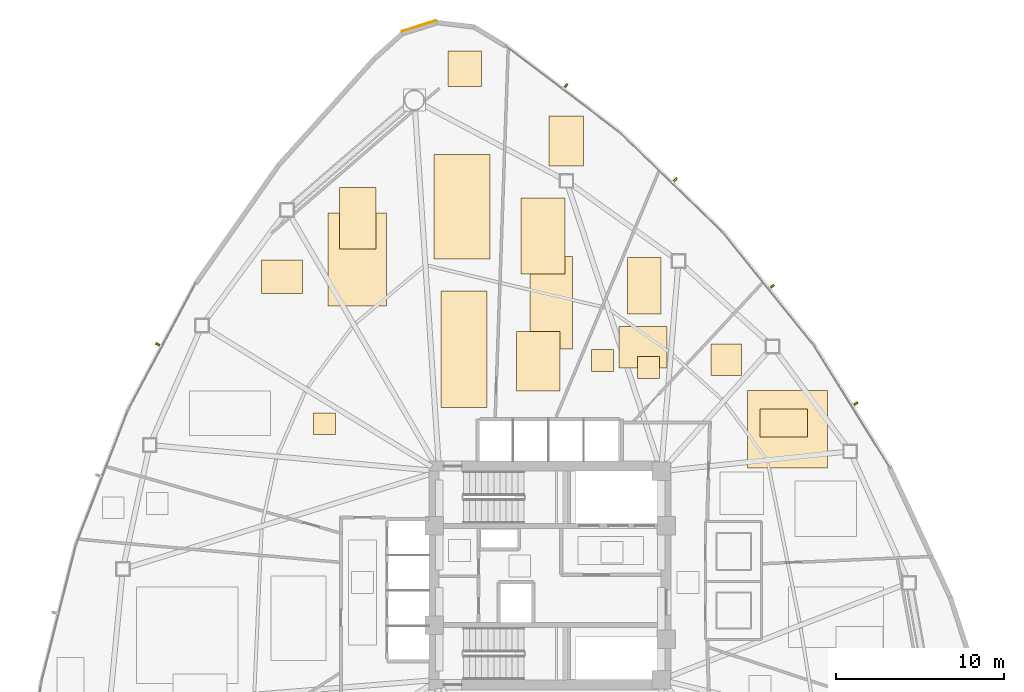
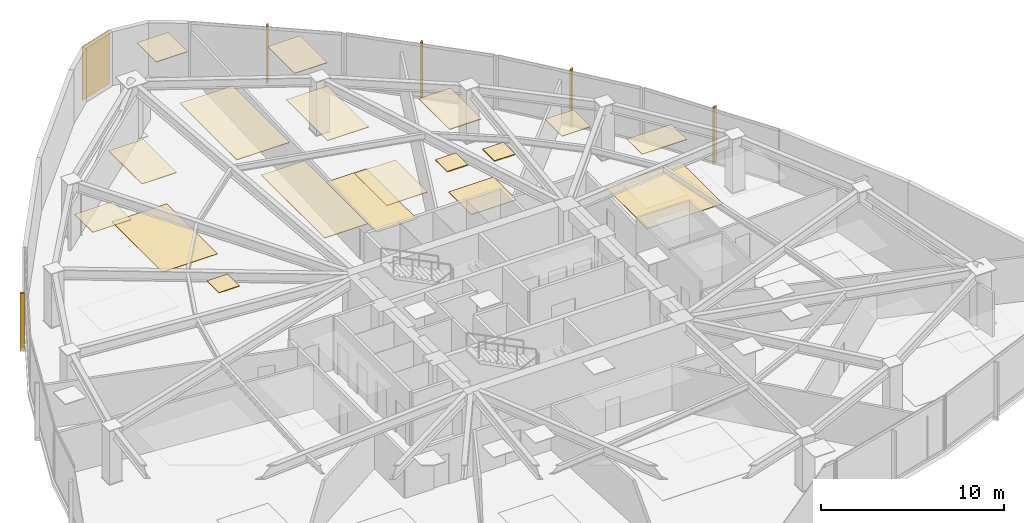
# One storey, part 18 of 18: 19 coverings, 5 shading devices.
"""IFC4 building model written with IfcOpenShell, lengths in metres."""

from ifc_helpers import new_model, si_unit, direction, frame, origin, origin_2d, place, context, subcontext, project, spatial, polyline, rectangle, outline, extrude, source, transform, mapped, material, layer, layer_set, type_object, type_shapes, element, save


model = new_model("IFC4")

# Units and contexts
model_context = context("Model", 3, precision=1e-05, world=origin(), true_north=direction((0.0, 1.0)))
body_context = subcontext(model_context, "Body", "Model", "MODEL_VIEW")
ifc_project = project(units=[si_unit("LENGTHUNIT", "METRE"), si_unit("AREAUNIT", "SQUARE_METRE"), si_unit("VOLUMEUNIT", "CUBIC_METRE"), si_unit("PLANEANGLEUNIT", "RADIAN"), si_unit("MASSUNIT", "GRAM", prefix="KILO")], contexts=[model_context])

# Site, building, storey
site_placement = place(None, origin())
site = spatial("IfcSite", under=ifc_project, at=site_placement, CompositionType="ELEMENT")
building_placement = place(site_placement, origin())
building = spatial("IfcBuilding", under=site, at=building_placement, Name="Tavelor Broadcast Tower", CompositionType="ELEMENT")
storey_placement = place(building_placement, frame((0.0, 0.0, 47.10009765625)))
storey = spatial("IfcBuildingStorey", under=building, at=storey_placement, Name="L10", CompositionType="ELEMENT", Elevation=47.10009765625)

# Coverings
ifc_material_1 = material(Name="Copper-Bronze Anodized Aluminium", Category="aluminium")
ifc_layer_1 = layer(ifc_material_1, 0.050048828125)
ifc_layer_set_1 = layer_set([ifc_layer_1], Name="Copper-Bronze Anodized Aluminium")
covering_type_1 = type_object("IfcCoveringType", Name="Champagne-Bronze Corner Pier Metal Cladding 50 mm", PredefinedType="CLADDING", material=ifc_layer_set_1)
covering_1_placement = place(storey_placement, frame((42.205078125, 77.685302734375, 0.019775390625), z_axis=(0.0, 0.0, 1.0), x_axis=(-0.953454172319, -0.301537959944, 0.0)))
element("IfcCovering", 1, at=covering_1_placement, inside=storey, type_object=covering_type_1, Name="L10 Champagne-Bronze Corner Cladding 03", PredefinedType="CLADDING", context=body_context, shape_type="SweptSolid", body=[
    extrude(rectangle(XDim=2.15087890625, YDim=0.050048828125, at=origin_2d()), origin(), (0.0, 0.0, 1.0), 3.56005859375),
])
ifc_material_2 = material(Name="Acoustic Nylon Carpet Tile")
ifc_layer_2 = layer(ifc_material_2, 0.02001953125)
ifc_layer_set_2 = layer_set([ifc_layer_2], Name="Acoustic Nylon Carpet Tile")
covering_type_2 = type_object("IfcCoveringType", Name="Heavy-Duty Acoustic Broadcast Carpet Tile 20 mm", PredefinedType="FLOORING", material=ifc_layer_set_2)
covering_2_placement = place(storey_placement, origin())
element("IfcCovering", 2, at=covering_2_placement, inside=storey, type_object=covering_type_2, Name="L10 Broadcast Floor Finish 0129", PredefinedType="FLOORING", context=body_context, shape_type="SweptSolid", body=[
    extrude(outline(polyline([(36.796875, 61.031982421875), (40.260009765625, 61.031982421875), (40.260009765625, 66.54541015625), (36.796875, 66.54541015625), (36.796875, 61.031982421875)])), origin(), (0.0, 0.0, 1.0), 0.02001953125),
])
covering_3_placement = place(storey_placement, origin())
element("IfcCovering", 3, at=covering_3_placement, inside=storey, type_object=covering_type_2, Name="L10 Broadcast Floor Finish 0130", PredefinedType="FLOORING", context=body_context, shape_type="SweptSolid", body=[
    extrude(outline(polyline([(48.805908203125, 58.47509765625), (51.336669921875, 58.47509765625), (51.336669921875, 63.9833984375), (48.805908203125, 63.9833984375), (48.805908203125, 58.47509765625)])), origin(), (0.0, 0.0, 1.0), 0.02001953125),
])
covering_4_placement = place(storey_placement, origin())
element("IfcCovering", 4, at=covering_4_placement, inside=storey, type_object=covering_type_2, Name="L10 Broadcast Floor Finish 0132", PredefinedType="FLOORING", context=body_context, shape_type="SweptSolid", body=[
    extrude(outline(polyline([(61.74853515625, 51.390380859375), (66.505126953125, 51.390380859375), (66.505126953125, 55.987060546875), (61.74853515625, 55.987060546875), (61.74853515625, 51.390380859375)])), origin(), (0.0, 0.0, 1.0), 0.02001953125),
])
ifc_material_3 = material(Name="Acoustic Hardwood Studio Flooring", Category="wood")
ifc_layer_3 = layer(ifc_material_3, 0.034912109375)
ifc_layer_set_3 = layer_set([ifc_layer_3], Name="Acoustic Hardwood Studio Flooring")
covering_type_3 = type_object("IfcCoveringType", Name="Isolated Studio Acoustic Elastomeric Floor Finish 35 mm", PredefinedType="FLOORING", material=ifc_layer_set_3)
covering_5_placement = place(storey_placement, origin())
element("IfcCovering", 5, at=covering_5_placement, inside=storey, type_object=covering_type_3, Name="L10 Broadcast Floor Finish 0131", PredefinedType="FLOORING", context=body_context, shape_type="SweptSolid", body=[
    extrude(outline(polyline([(54.106201171875, 57.32958984375), (56.9453125, 57.32958984375), (56.9453125, 59.8173828125), (54.106201171875, 59.8173828125), (54.106201171875, 57.32958984375)])), origin(), (0.0, 0.0, 1.0), 0.034912109375),
])
ifc_material_4 = material(Name="Acoustic Perforated Timber Baffle", Category="wood")
ifc_layer_4 = layer(ifc_material_4, 0.054931640625)
ifc_layer_set_4 = layer_set([ifc_layer_4], Name="Acoustic Perforated Timber Baffle")
covering_type_4 = type_object("IfcCoveringType", Name="Micro-Perforated Acoustic Baffle Studio Ceiling 55 mm", PredefinedType="CEILING", material=ifc_layer_set_4)
covering_6_placement = place(storey_placement, frame((0.0, 0.0, 3.544921875)))
element("IfcCovering", 6, at=covering_6_placement, inside=storey, type_object=covering_type_4, Name="L10 Suspended Acoustic Ceiling 0374", PredefinedType="CEILING", context=body_context, shape_type="SweptSolid", body=[
    extrude(outline(polyline([(52.469482421875, 57.12646484375), (53.76953125, 57.12646484375), (53.76953125, 58.426513671875), (52.469482421875, 58.426513671875), (52.469482421875, 57.12646484375)])), origin(), (0.0, 0.0, 1.0), 0.054931640625),
])
covering_7_placement = place(storey_placement, frame((0.0, 0.0, 3.544921875)))
element("IfcCovering", 7, at=covering_7_placement, inside=storey, type_object=covering_type_4, Name="L10 Suspended Acoustic Ceiling 0375", PredefinedType="CEILING", context=body_context, shape_type="SweptSolid", body=[
    extrude(outline(polyline([(54.5849609375, 60.54248046875), (56.587646484375, 60.54248046875), (56.587646484375, 63.90869140625), (54.5849609375, 63.90869140625), (54.5849609375, 60.54248046875)])), origin(), (0.0, 0.0, 1.0), 0.054931640625),
])
covering_8_placement = place(storey_placement, frame((0.0, 0.0, 3.544921875)))
element("IfcCovering", 8, at=covering_8_placement, inside=storey, type_object=covering_type_4, Name="L10 Suspended Acoustic Ceiling 0376", PredefinedType="CEILING", context=body_context, shape_type="SweptSolid", body=[
    extrude(outline(polyline([(55.204345703125, 56.711181640625), (56.50439453125, 56.711181640625), (56.50439453125, 58.01123046875), (55.204345703125, 58.01123046875), (55.204345703125, 56.711181640625)])), origin(), (0.0, 0.0, 1.0), 0.054931640625),
])
ifc_material_5 = material(Name="Acoustic Mineral Fibre Tile")
ifc_layer_5 = layer(ifc_material_5, 0.0400390625)
ifc_layer_set_5 = layer_set([ifc_layer_5], Name="Acoustic Mineral Fibre Tile")
covering_type_5 = type_object("IfcCoveringType", Name="Suspended Acoustic Mineral-Fibre Office Ceiling 40 mm", PredefinedType="CEILING", material=ifc_layer_set_5)
covering_9_placement = place(storey_placement, frame((0.0, 0.0, 3.559814453125)))
element("IfcCovering", 9, at=covering_9_placement, inside=storey, type_object=covering_type_5, Name="L10 Suspended Acoustic Ceiling 0364", PredefinedType="CEILING", context=body_context, shape_type="SweptSolid", body=[
    extrude(outline(polyline([(32.84033203125, 61.7822265625), (35.2724609375, 61.7822265625), (35.2724609375, 63.76416015625), (32.84033203125, 63.76416015625), (32.84033203125, 61.7822265625)])), origin(), (0.0, 0.0, 1.0), 0.0400390625),
])
covering_10_placement = place(storey_placement, frame((0.0, 0.0, 3.559814453125)))
element("IfcCovering", 10, at=covering_10_placement, inside=storey, type_object=covering_type_5, Name="L10 Suspended Acoustic Ceiling 0365", PredefinedType="CEILING", context=body_context, shape_type="SweptSolid", body=[
    extrude(outline(polyline([(37.46337890625, 64.42236328125), (39.65283203125, 64.42236328125), (39.65283203125, 68.059814453125), (37.46337890625, 68.059814453125), (37.46337890625, 64.42236328125)])), origin(), (0.0, 0.0, 1.0), 0.0400390625),
])
covering_11_placement = place(storey_placement, frame((0.0, 0.0, 3.559814453125)))
element("IfcCovering", 11, at=covering_11_placement, inside=storey, type_object=covering_type_5, Name="L10 Suspended Acoustic Ceiling 0366", PredefinedType="CEILING", context=body_context, shape_type="SweptSolid", body=[
    extrude(outline(polyline([(43.0849609375, 63.827392578125), (46.40966796875, 63.827392578125), (46.40966796875, 70.0439453125), (43.0849609375, 70.0439453125), (43.0849609375, 63.827392578125)])), origin(), (0.0, 0.0, 1.0), 0.0400390625),
])
covering_12_placement = place(storey_placement, frame((0.0, 0.0, 3.559814453125)))
element("IfcCovering", 12, at=covering_12_placement, inside=storey, type_object=covering_type_5, Name="L10 Suspended Acoustic Ceiling 0367", PredefinedType="CEILING", context=body_context, shape_type="SweptSolid", body=[
    extrude(outline(polyline([(43.932861328125, 74.07470703125), (45.905517578125, 74.07470703125), (45.905517578125, 76.192138671875), (43.932861328125, 76.192138671875), (43.932861328125, 74.07470703125)])), origin(), (0.0, 0.0, 1.0), 0.0400390625),
])
covering_13_placement = place(storey_placement, frame((0.0, 0.0, 3.559814453125)))
element("IfcCovering", 13, at=covering_13_placement, inside=storey, type_object=covering_type_5, Name="L10 Suspended Acoustic Ceiling 0368", PredefinedType="CEILING", context=body_context, shape_type="SweptSolid", body=[
    extrude(outline(polyline([(43.518798828125, 54.9951171875), (46.243896484375, 54.9951171875), (46.243896484375, 61.909912109375), (43.518798828125, 61.909912109375), (43.518798828125, 54.9951171875)])), origin(), (0.0, 0.0, 1.0), 0.0400390625),
])
covering_14_placement = place(storey_placement, frame((0.0, 0.0, 3.559814453125)))
element("IfcCovering", 14, at=covering_14_placement, inside=storey, type_object=covering_type_5, Name="L10 Suspended Acoustic Ceiling 0370", PredefinedType="CEILING", context=body_context, shape_type="SweptSolid", body=[
    extrude(outline(polyline([(35.9296875, 53.377197265625), (37.229736328125, 53.377197265625), (37.229736328125, 54.677001953125), (35.9296875, 54.677001953125), (35.9296875, 53.377197265625)])), origin(), (0.0, 0.0, 1.0), 0.0400390625),
])
covering_15_placement = place(storey_placement, frame((0.0, 0.0, 3.559814453125)))
element("IfcCovering", 15, at=covering_15_placement, inside=storey, type_object=covering_type_5, Name="L10 Suspended Acoustic Ceiling 0371", PredefinedType="CEILING", context=body_context, shape_type="SweptSolid", body=[
    extrude(outline(polyline([(47.990478515625, 55.9765625), (50.57373046875, 55.9765625), (50.57373046875, 59.50048828125), (47.990478515625, 59.50048828125), (47.990478515625, 55.9765625)])), origin(), (0.0, 0.0, 1.0), 0.0400390625),
])
covering_16_placement = place(storey_placement, frame((0.0, 0.0, 3.559814453125)))
element("IfcCovering", 16, at=covering_16_placement, inside=storey, type_object=covering_type_5, Name="L10 Suspended Acoustic Ceiling 0372", PredefinedType="CEILING", context=body_context, shape_type="SweptSolid", body=[
    extrude(outline(polyline([(48.278564453125, 62.93505859375), (50.883544921875, 62.93505859375), (50.883544921875, 67.439453125), (48.278564453125, 67.439453125), (48.278564453125, 62.93505859375)])), origin(), (0.0, 0.0, 1.0), 0.0400390625),
])
covering_17_placement = place(storey_placement, frame((0.0, 0.0, 3.559814453125)))
element("IfcCovering", 17, at=covering_17_placement, inside=storey, type_object=covering_type_5, Name="L10 Suspended Acoustic Ceiling 0373", PredefinedType="CEILING", context=body_context, shape_type="SweptSolid", body=[
    extrude(outline(polyline([(49.931884765625, 69.361572265625), (51.983642578125, 69.361572265625), (51.983642578125, 72.31884765625), (49.931884765625, 72.31884765625), (49.931884765625, 69.361572265625)])), origin(), (0.0, 0.0, 1.0), 0.0400390625),
])
covering_18_placement = place(storey_placement, frame((0.0, 0.0, 3.559814453125)))
element("IfcCovering", 18, at=covering_18_placement, inside=storey, type_object=covering_type_5, Name="L10 Suspended Acoustic Ceiling 0377", PredefinedType="CEILING", context=body_context, shape_type="SweptSolid", body=[
    extrude(outline(polyline([(59.562255859375, 56.906982421875), (61.372314453125, 56.906982421875), (61.372314453125, 58.76611328125), (59.562255859375, 58.76611328125), (59.562255859375, 56.906982421875)])), origin(), (0.0, 0.0, 1.0), 0.0400390625),
])
covering_19_placement = place(storey_placement, frame((0.0, 0.0, 3.559814453125)))
element("IfcCovering", 19, at=covering_19_placement, inside=storey, type_object=covering_type_5, Name="L10 Suspended Acoustic Ceiling 0380", PredefinedType="CEILING", context=body_context, shape_type="SweptSolid", body=[
    extrude(outline(polyline([(62.492431640625, 53.234375), (65.3046875, 53.234375), (65.3046875, 54.909423828125), (62.492431640625, 54.909423828125), (62.492431640625, 53.234375)])), origin(), (0.0, 0.0, 1.0), 0.0400390625),
])

# Shading devices
ifc_material_6 = material(Name="Kiln-Fired Glazed Terracotta", Category="masonry")
shading_device_type = type_object("IfcShadingDeviceType", Name="Extruded Terracotta Baguette Sun-Screen 110x240", PredefinedType="JALOUSIE", material=ifc_material_6)
shared_shape = source(origin(), body_context, "Body", "SweptSolid", [
    extrude(rectangle(XDim=0.110107421875, YDim=0.239990234375, at=origin_2d()), origin(), (0.0, 0.0, 1.0), 3.840087890625),
])
type_shapes(shading_device_type, [shared_shape])
for number, where, z_axis, x_axis, name in (
    (20, (26.651123046875, 58.7548828125, -0.26025390625), (0.0, 0.0, 1.0), (-0.470549936128, -0.882373366331, 0.0), "L10 Terracotta Baguette Fin 73"),
    (21, (68.1865234375, 55.2255859375, -0.26025390625), (0.0, 0.0, 1.0), (-0.528734649546, 0.848787176134, 0.0), "L10 Terracotta Baguette Fin 81"),
    (22, (63.2216796875, 62.2119140625, -0.26025390625), (0.0, 0.0, 1.0), (-0.627691361291, 0.778462301567, 0.0), "L10 Terracotta Baguette Fin 82"),
    (23, (57.447509765625, 68.54638671875, -0.26025390625), (0.0, 0.0, 1.0), (-0.717275544155, 0.696789633789, 0.0), "L10 Terracotta Baguette Fin 83"),
    (24, (50.94970703125, 74.13525390625, -0.26025390625), (0.0, 0.0, 1.0), (-0.796318824597, 0.604877119416, 0.0), "L10 Terracotta Baguette Fin 84"),
):
    element("IfcShadingDevice", number, at=place(storey_placement, frame(where, z_axis=z_axis, x_axis=x_axis)), inside=storey, type_object=shading_device_type, Name=name, PredefinedType="JALOUSIE", context=body_context, shape_type="MappedRepresentation", body=[
        mapped(shared_shape, transform((0.0, 0.0, 0.0), scale=1.0)),
    ])

save(model, "model.ifc")
